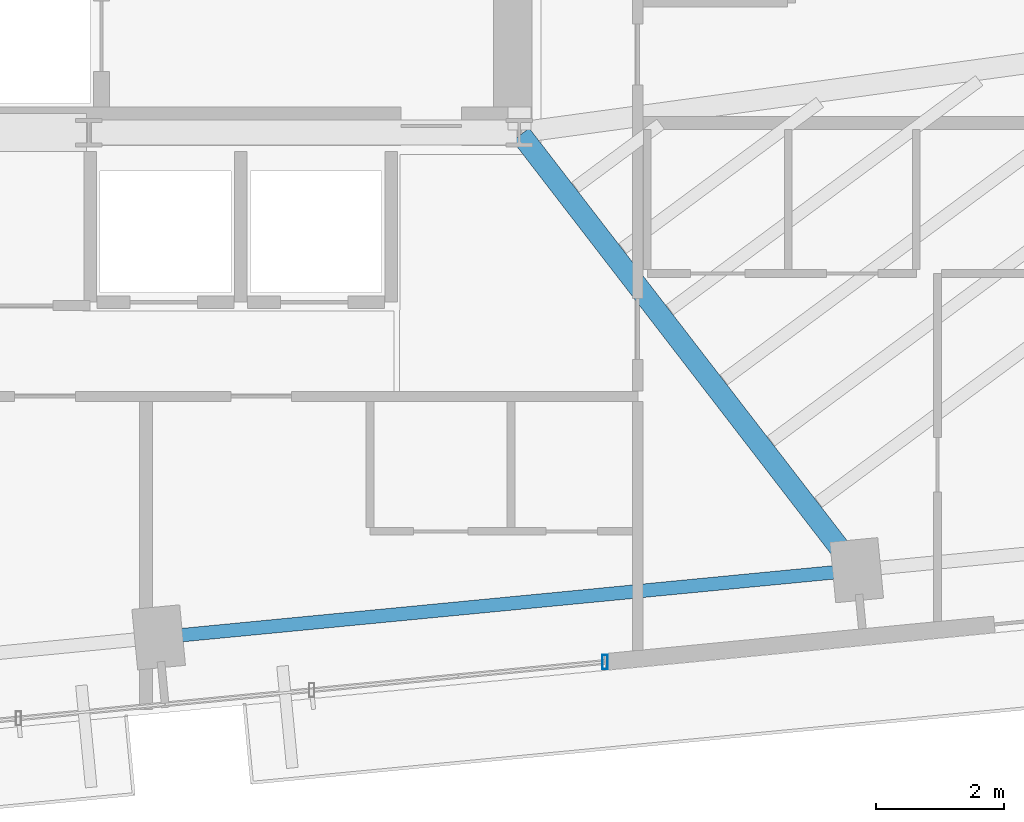
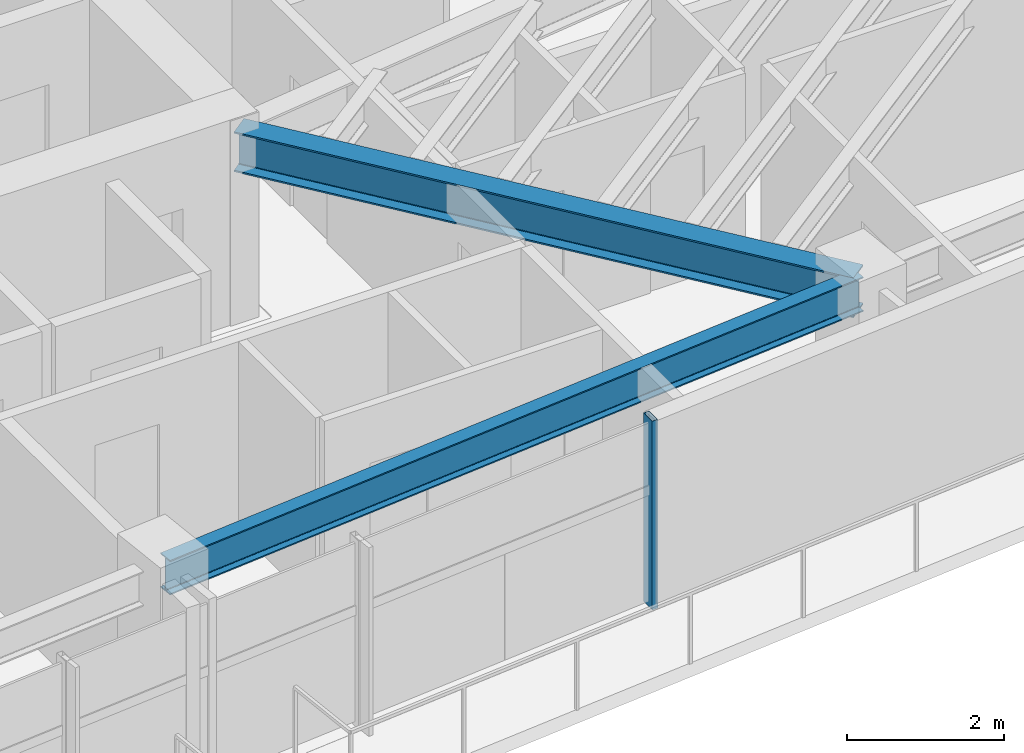
# One storey, part 8 of 18: 2 beams, 1 member, 1 element without a shape of its own.
"""IFC4 building model written with IfcOpenShell, lengths in metres."""

from ifc_helpers import new_model, si_unit, direction, frame, origin, origin_2d, place, context, subcontext, project, spatial, hollow_rectangle, i_section, extrude, source, transform, mapped, material, material_profile, profile_set, type_object, type_shapes, element, aggregate, save


model = new_model("IFC4")

# Units and contexts
model_context = context("Model", 3, precision=1e-05, world=origin(), true_north=direction((0.0, 1.0)))
body_context = subcontext(model_context, "Body", "Model", "MODEL_VIEW")
ifc_project = project(units=[si_unit("LENGTHUNIT", "METRE"), si_unit("AREAUNIT", "SQUARE_METRE"), si_unit("VOLUMEUNIT", "CUBIC_METRE"), si_unit("PLANEANGLEUNIT", "RADIAN"), si_unit("MASSUNIT", "GRAM", prefix="KILO")], contexts=[model_context])

# Site, building, storey
site_placement = place(None, origin())
site = spatial("IfcSite", under=ifc_project, at=site_placement, CompositionType="ELEMENT")
building_placement = place(site_placement, origin())
building = spatial("IfcBuilding", under=site, at=building_placement, Name="Astriad Promenade Condominiums", CompositionType="ELEMENT")
storey_placement = place(building_placement, frame((0.0, 0.0, 192.199951171875)))
storey = spatial("IfcBuildingStorey", under=building, at=storey_placement, Name="L55", CompositionType="ELEMENT", Elevation=192.199951171875)

# Beams
ifc_material_1 = material(Name="Steel ASTM A992 Grade 50", Category="steel")
ifc_material_profile_1 = material_profile(ifc_material_1, i_section(OverallWidth=0.210693359375, OverallDepth=0.53955078125, WebThickness=0.01171875, FlangeThickness=0.018798828125, FilletRadius=0.0166015625, at=origin_2d()), Name="W21X73")
ifc_profile_set_1 = profile_set([ifc_material_profile_1], Name="Steel ASTM A992 Grade 50")
beam_type_1 = type_object("IfcBeamType", Name="STEEL SPANDREL BEAM W21X73", PredefinedType="SPANDREL", material=ifc_profile_set_1)
shared_shape_1 = source(origin(), body_context, "Body", "SweptSolid", [
    extrude(i_section(OverallWidth=0.210693359375, OverallDepth=0.53955078125, WebThickness=0.01171875, FlangeThickness=0.018798828125, FilletRadius=0.0166015625, at=origin_2d()), origin(), (0.0, 0.0, 1.0), 10.8701171875),
])
type_shapes(beam_type_1, [shared_shape_1])
beam_1_placement = place(storey_placement, frame((40.008544921875, 9.520751953125, 2.670166015625), z_axis=(0.995397128983, 0.095836087217, 0.0), x_axis=(-0.095836087217, 0.995397128983, 0.0)))
element("IfcBeam", 1, at=beam_1_placement, inside=storey, type_object=beam_type_1, Name="Perimeter Spandrel Beam SP-S3-L55", PredefinedType="SPANDREL", context=body_context, shape_type="MappedRepresentation", body=[
    mapped(shared_shape_1, transform((0.0, 0.0, 0.0), scale=1.0)),
])
ifc_material_profile_2 = material_profile(ifc_material_1, i_section(OverallWidth=0.326416015625, OverallDepth=0.621826171875, WebThickness=0.015380859375, FlangeThickness=0.0244140625, FilletRadius=0.017822265625, at=origin_2d()), Name="W24X131")
ifc_profile_set_2 = profile_set([ifc_material_profile_2], Name="Steel ASTM A992 Grade 50")
beam_type_2 = type_object("IfcBeamType", Name="STEEL FLOOR GIRDER W24X131", PredefinedType="BEAM", material=ifc_profile_set_2)
shared_shape_2 = source(origin(), body_context, "Body", "SweptSolid", [
    extrude(i_section(OverallWidth=0.326416015625, OverallDepth=0.621826171875, WebThickness=0.015380859375, FlangeThickness=0.0244140625, FilletRadius=0.017822265625, at=origin_2d()), origin(), (0.0, 0.0, 1.0), 8.548583984375),
])
type_shapes(beam_type_2, [shared_shape_2])
beam_2_placement = place(storey_placement, frame((50.843994140625, 10.59814453125, 2.629150390625), z_axis=(-0.610561975536, 0.791968480452, 0.0), x_axis=(-0.791968480452, -0.610561975536, 0.0)))
element("IfcBeam", 2, at=beam_2_placement, inside=storey, type_object=beam_type_2, Name="Primary Floor Girder PG-E2-L55", PredefinedType="BEAM", context=body_context, shape_type="MappedRepresentation", body=[
    mapped(shared_shape_2, transform((0.0, 0.0, 0.0), scale=1.0)),
])

# Curtain wall, member
ifc_material_2 = material(Name="Anodised aluminium Black Dark Glass Unitised", Category="aluminium")
curtain_wall_type = type_object("IfcCurtainWallType", Name="CW-B34-DARK", PredefinedType="USERDEFINED", material=ifc_material_2)
curtain_wall_placement = place(storey_placement, origin())
curtain_wall = element("IfcCurtainWall", 3, at=curtain_wall_placement, inside=storey, type_object=curtain_wall_type, Name="CW-L55-S", ObjectType="UNITISED_CURTAIN_WALL", PredefinedType="USERDEFINED")
ifc_material_3 = material(Name="Anodised aluminium 6063-T6 Black", Category="aluminium")
ifc_material_profile_3 = material_profile(ifc_material_3, hollow_rectangle(XDim=0.0849609375, YDim=0.219970703125, WallThickness=0.0048828125, at=origin_2d()), Name="ALU-MUL-85X220")
ifc_profile_set_3 = profile_set([ifc_material_profile_3], Name="Anodised aluminium 6063-T6 Black")
member_type = type_object("IfcMemberType", Name="MUL-ALU-MUL-85X220", PredefinedType="MULLION", material=ifc_profile_set_3)
shared_shape_3 = source(origin(), body_context, "Body", "SweptSolid", [
    extrude(hollow_rectangle(XDim=0.0849609375, YDim=0.219970703125, WallThickness=0.0048828125, at=origin_2d()), origin(), (0.0, 0.0, 1.0), 2.93994140625),
])
type_shapes(member_type, [shared_shape_3])
member_placement = place(storey_placement, frame((46.9375, 9.133056640625, 0.0), z_axis=(0.0, 0.0, 1.0), x_axis=(1.0, 0.0, 0.0)))
member = element("IfcMember", 4, at=member_placement, type_object=member_type, Name="CW-L55-S-MUL-00", PredefinedType="MULLION", context=body_context, shape_type="MappedRepresentation", body=[
    mapped(shared_shape_3, transform((0.0, 0.0, 0.0), scale=1.0)),
])
aggregate(curtain_wall, [member])

save(model, "model.ifc")
